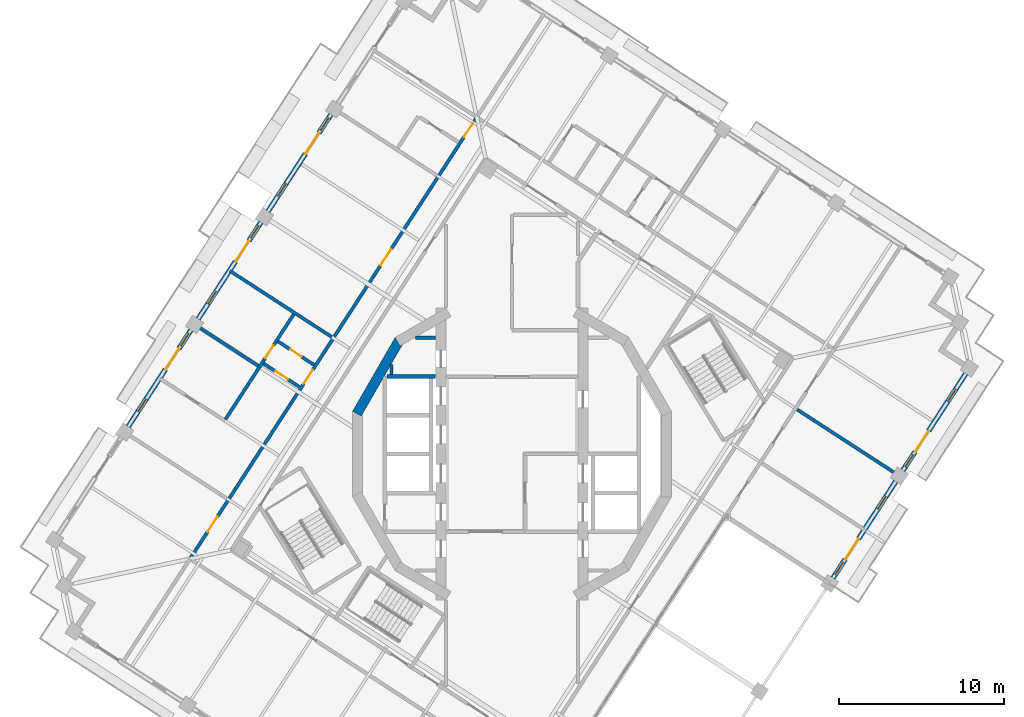
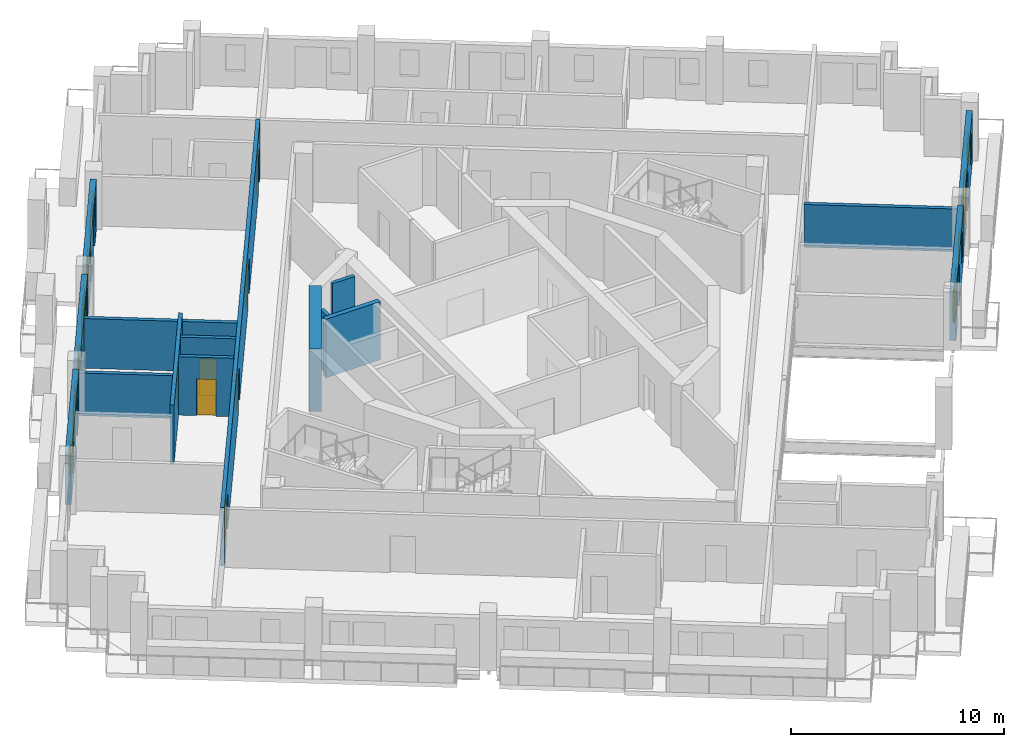
# One storey, part 8 of 17: 16 walls, 12 doors, 10 windows, 22 openings.
"""IFC4 building model written with IfcOpenShell, lengths in metres."""

from ifc_helpers import new_model, si_unit, direction, frame, frame_2d, origin, place, context, subcontext, project, spatial, rectangle, extrude, material, layer, layer_set, type_object, element, fill, save


model = new_model("IFC4")

# Units and contexts
model_context = context("Model", 3, precision=1e-05, world=origin(), true_north=direction((0.0, 1.0)))
body_context = subcontext(model_context, "Body", "Model", "MODEL_VIEW")
ifc_project = project(units=[si_unit("LENGTHUNIT", "METRE"), si_unit("AREAUNIT", "SQUARE_METRE"), si_unit("VOLUMEUNIT", "CUBIC_METRE"), si_unit("PLANEANGLEUNIT", "RADIAN"), si_unit("MASSUNIT", "GRAM", prefix="KILO")], contexts=[model_context])

# Site, building, storey
site_placement = place(None, origin())
site = spatial("IfcSite", under=ifc_project, at=site_placement, CompositionType="ELEMENT")
building_placement = place(site_placement, origin())
building = spatial("IfcBuilding", under=site, at=building_placement, Name="Cantera Rosa Tower", CompositionType="ELEMENT")
storey_placement = place(building_placement, frame((0.0, 0.0, 254.10009765625)))
storey = spatial("IfcBuildingStorey", under=building, at=storey_placement, Name="L56", CompositionType="ELEMENT", Elevation=254.10009765625)

# Wall, openings, doors
ifc_material_1 = material(Name="Gypsum board partition")
ifc_layer_1 = layer(ifc_material_1, 0.199951171875)
ifc_layer_set_1 = layer_set([ifc_layer_1], Name="CORRIDOR WALL 200 H3350")
wall_type_1 = type_object("IfcWallType", Name="CORRIDOR WALL 200 H3350", PredefinedType="PARTITIONING", material=ifc_layer_set_1)
wall_1_placement = place(storey_placement, frame((-2.1318359375, 20.402587890625, 0.0), z_axis=(0.0, 0.0, 1.0), x_axis=(-0.544643219415, -0.838667850549, 0.0)))
wall_1 = element("IfcWall", 1, at=wall_1_placement, inside=storey, type_object=wall_type_1, Name="CORRIDOR WALL L56-046", PredefinedType="PARTITIONING", context=body_context, shape_type="SweptSolid", body=[
    extrude(rectangle(XDim=31.880126953125, YDim=0.199951171875, at=frame_2d((15.93994140625, 0.0))), origin(), (0.0, 0.0, 1.0), 3.349853515625),
])
opening_1_placement = place(wall_1_placement, frame((9.514892578125, 0.0, 0.0)))
opening_1 = element("IfcOpeningElement", 2, at=opening_1_placement, cuts=wall_1, Name="Opening L56-027", PredefinedType="OPENING", context=body_context, shape_type="SweptSolid", body=[
    extrude(rectangle(XDim=1.199951171875, YDim=2.10009765625, at=frame_2d((0.60009765625, 1.050048828125))), frame((0.0, 0.10986328125, 0.0), z_axis=(0.0, -1.0, 0.0), x_axis=(1.0, 0.0, 0.0)), (0.0, 0.0, 1.0), 0.219970703125),
])
opening_2_placement = place(wall_1_placement, frame((18.25, 0.0, 0.0)))
opening_2 = element("IfcOpeningElement", 3, at=opening_2_placement, cuts=wall_1, Name="Opening L56-028", PredefinedType="OPENING", context=body_context, shape_type="SweptSolid", body=[
    extrude(rectangle(XDim=1.0, YDim=2.10009765625, at=frame_2d((0.5, 1.050048828125))), frame((0.0, 0.10986328125, 0.0), z_axis=(0.0, -1.0, 0.0), x_axis=(1.0, 0.0, 0.0)), (0.0, 0.0, 1.0), 0.219970703125),
])
opening_3_placement = place(wall_1_placement, frame((0.43994140625, 0.0, 0.0)))
opening_3 = element("IfcOpeningElement", 4, at=opening_3_placement, cuts=wall_1, Name="Opening L56-033", PredefinedType="OPENING", context=body_context, shape_type="SweptSolid", body=[
    extrude(rectangle(XDim=1.0, YDim=2.10009765625, at=frame_2d((0.5, 1.050048828125))), frame((0.0, 0.10986328125, 0.0), z_axis=(0.0, -1.0, 0.0), x_axis=(1.0, 0.0, 0.0)), (0.0, 0.0, 1.0), 0.219970703125),
])
opening_4_placement = place(wall_1_placement, frame((28.85009765625, 0.0, 0.0)))
opening_4 = element("IfcOpeningElement", 5, at=opening_4_placement, cuts=wall_1, Name="Opening L56-036", PredefinedType="OPENING", context=body_context, shape_type="SweptSolid", body=[
    extrude(rectangle(XDim=1.10009765625, YDim=2.10009765625, at=frame_2d((0.550048828125, 1.050048828125))), frame((0.0, 0.10986328125, 0.0), z_axis=(0.0, -1.0, 0.0), x_axis=(1.0, 0.0, 0.0)), (0.0, 0.0, 1.0), 0.219970703125),
])
ifc_material_2 = material(Name="Timber door leaf", Category="wood")
door_type_1 = type_object("IfcDoorType", Name="ENTRANCE DOOR 1000x2100", OperationType="NOTDEFINED", PredefinedType="DOOR", material=ifc_material_2)
door_1_placement = place(opening_2_placement, origin())
door_1 = element("IfcDoor", 6, at=door_1_placement, inside=storey, type_object=door_type_1, Name="DOOR L56-028", OperationType="NOTDEFINED", OverallHeight=2.10009765625, OverallWidth=1.0, PredefinedType="DOOR", context=body_context, shape_type="SweptSolid", body=[
    extrude(rectangle(XDim=1.0, YDim=2.10009765625, at=frame_2d((0.5, 1.050048828125))), frame((0.0, 0.02490234375, 0.0), z_axis=(0.0, -1.0, 0.0), x_axis=(1.0, 0.0, 0.0)), (0.0, 0.0, 1.0), 0.050048828125),
])
fill(opening_2, door_1)
door_2_placement = place(opening_3_placement, origin())
door_2 = element("IfcDoor", 7, at=door_2_placement, inside=storey, type_object=door_type_1, Name="DOOR L56-033", OperationType="NOTDEFINED", OverallHeight=2.10009765625, OverallWidth=1.0, PredefinedType="DOOR", context=body_context, shape_type="SweptSolid", body=[
    extrude(rectangle(XDim=1.0, YDim=2.10009765625, at=frame_2d((0.5, 1.050048828125))), frame((0.0, 0.02490234375, 0.0), z_axis=(0.0, -1.0, 0.0), x_axis=(1.0, 0.0, 0.0)), (0.0, 0.0, 1.0), 0.050048828125),
])
fill(opening_3, door_2)
ifc_material_3 = material(Name="Timber door leaf", Category="wood")
door_type_2 = type_object("IfcDoorType", Name="ROOM DOOR 1100x2100", OperationType="NOTDEFINED", PredefinedType="DOOR", material=ifc_material_3)
door_3_placement = place(opening_4_placement, origin())
door_3 = element("IfcDoor", 8, at=door_3_placement, inside=storey, type_object=door_type_2, Name="DOOR L56-036", OperationType="NOTDEFINED", OverallHeight=2.10009765625, OverallWidth=1.10009765625, PredefinedType="DOOR", context=body_context, shape_type="SweptSolid", body=[
    extrude(rectangle(XDim=1.10009765625, YDim=2.10009765625, at=frame_2d((0.550048828125, 1.050048828125))), frame((0.0, 0.02490234375, 0.0), z_axis=(0.0, -1.0, 0.0), x_axis=(1.0, 0.0, 0.0)), (0.0, 0.0, 1.0), 0.050048828125),
])
fill(opening_4, door_3)
ifc_material_4 = material(Name="Timber door leaf", Category="wood")
door_type_3 = type_object("IfcDoorType", Name="ROOM DOOR 1200x2100", OperationType="NOTDEFINED", PredefinedType="DOOR", material=ifc_material_4)
door_4_placement = place(opening_1_placement, origin())
door_4 = element("IfcDoor", 9, at=door_4_placement, inside=storey, type_object=door_type_3, Name="DOOR L56-027", OperationType="NOTDEFINED", OverallHeight=2.10009765625, OverallWidth=1.199951171875, PredefinedType="DOOR", context=body_context, shape_type="SweptSolid", body=[
    extrude(rectangle(XDim=1.199951171875, YDim=2.10009765625, at=frame_2d((0.60009765625, 1.050048828125))), frame((0.0, 0.02490234375, 0.0), z_axis=(0.0, -1.0, 0.0), x_axis=(1.0, 0.0, 0.0)), (0.0, 0.0, 1.0), 0.050048828125),
])
fill(opening_1, door_4)

# Wall, openings, windows, door
ifc_material_5 = material(Name="Hollow clay masonry with cantera stone cladding", Category="masonry")
ifc_layer_2 = layer(ifc_material_5, 0.300048828125)
ifc_layer_set_2 = layer_set([ifc_layer_2], Name="EW-LOGGIA 300 H2890")
wall_type_2 = type_object("IfcWallType", Name="EW-LOGGIA 300 H2890", PredefinedType="SOLIDWALL", material=ifc_layer_set_2)
wall_2_placement = place(storey_placement, frame((-10.970703125, 20.5625, 0.0), z_axis=(0.0, 0.0, 1.0), x_axis=(-0.544651451949, -0.838662504164, 0.0)))
wall_2 = element("IfcWall", 10, at=wall_2_placement, inside=storey, type_object=wall_type_2, Name="EN-L56-W08", PredefinedType="SOLIDWALL", context=body_context, shape_type="SweptSolid", body=[
    extrude(rectangle(XDim=6.980224609375, YDim=0.300048828125, at=frame_2d((3.490234375, 0.0))), origin(), (0.0, 0.0, 1.0), 2.889892578125),
])
opening_5_placement = place(wall_2_placement, frame((0.2451171875, 0.0, 0.89990234375)))
opening_5 = element("IfcOpeningElement", 11, at=opening_5_placement, cuts=wall_2, Name="Opening L56-W16", PredefinedType="OPENING", context=body_context, shape_type="SweptSolid", body=[
    extrude(rectangle(XDim=0.89990234375, YDim=1.5, at=frame_2d((0.449951171875, 0.75))), frame((0.0, 0.159912109375, 0.0), z_axis=(0.0, -1.0, 0.0), x_axis=(1.0, 0.0, 0.0)), (0.0, 0.0, 1.0), 0.320068359375),
])
opening_6_placement = place(wall_2_placement, frame((1.344970703125, 0.0, 0.0)))
opening_6 = element("IfcOpeningElement", 12, at=opening_6_placement, cuts=wall_2, Name="Opening L56-TD17", PredefinedType="OPENING", context=body_context, shape_type="SweptSolid", body=[
    extrude(rectangle(XDim=1.5, YDim=2.39990234375, at=frame_2d((0.75, 1.199951171875))), frame((0.0, 0.159912109375, 0.0), z_axis=(0.0, -1.0, 0.0), x_axis=(1.0, 0.0, 0.0)), (0.0, 0.0, 1.0), 0.320068359375),
])
opening_7_placement = place(wall_2_placement, frame((4.985107421875, 0.0, 0.89990234375)))
opening_7 = element("IfcOpeningElement", 13, at=opening_7_placement, cuts=wall_2, Name="Opening L56-W18", PredefinedType="OPENING", context=body_context, shape_type="SweptSolid", body=[
    extrude(rectangle(XDim=0.89990234375, YDim=1.5, at=frame_2d((0.449951171875, 0.75))), frame((0.0, 0.159912109375, 0.0), z_axis=(0.0, -1.0, 0.0), x_axis=(1.0, 0.0, 0.0)), (0.0, 0.0, 1.0), 0.320068359375),
])
ifc_material_6 = material(Name="Aluminium frame with clear glass", Category="aluminium")
window_type = type_object("IfcWindowType", Name="Residential window 900x1500", PartitioningType="SINGLE_PANEL", PredefinedType="WINDOW", material=ifc_material_6)
window_1_placement = place(opening_5_placement, origin())
window_1 = element("IfcWindow", 14, at=window_1_placement, inside=storey, type_object=window_type, Name="WINDOW L56-W16", OverallHeight=1.5, OverallWidth=0.89990234375, PartitioningType="SINGLE_PANEL", PredefinedType="WINDOW", context=body_context, shape_type="SweptSolid", body=[
    extrude(rectangle(XDim=0.89990234375, YDim=1.5, at=frame_2d((0.449951171875, 0.75))), frame((0.0, 0.030029296875, 0.0), z_axis=(0.0, -1.0, 0.0), x_axis=(1.0, 0.0, 0.0)), (0.0, 0.0, 1.0), 0.06005859375),
])
fill(opening_5, window_1)
window_2_placement = place(opening_7_placement, origin())
window_2 = element("IfcWindow", 15, at=window_2_placement, inside=storey, type_object=window_type, Name="WINDOW L56-W18", OverallHeight=1.5, OverallWidth=0.89990234375, PartitioningType="SINGLE_PANEL", PredefinedType="WINDOW", context=body_context, shape_type="SweptSolid", body=[
    extrude(rectangle(XDim=0.89990234375, YDim=1.5, at=frame_2d((0.449951171875, 0.75))), frame((0.0, 0.030029296875, 0.0), z_axis=(0.0, -1.0, 0.0), x_axis=(1.0, 0.0, 0.0)), (0.0, 0.0, 1.0), 0.06005859375),
])
fill(opening_7, window_2)
ifc_material_7 = material(Name="Aluminium frame with clear glass", Category="aluminium")
door_type_4 = type_object("IfcDoorType", Name="TD-R 1500x2400", OperationType="NOTDEFINED", PredefinedType="DOOR", material=ifc_material_7)
door_5_placement = place(opening_6_placement, origin())
door_5 = element("IfcDoor", 16, at=door_5_placement, inside=storey, type_object=door_type_4, Name="LOGGIA DOOR L56-TD17", OperationType="SLIDING_TO_LEFT", OverallHeight=2.39990234375, OverallWidth=1.5, PredefinedType="DOOR", context=body_context, shape_type="SweptSolid", body=[
    extrude(rectangle(XDim=1.5, YDim=2.39990234375, at=frame_2d((0.75, 1.199951171875))), frame((0.0, 0.02490234375, 0.0), z_axis=(0.0, -1.0, 0.0), x_axis=(1.0, 0.0, 0.0)), (0.0, 0.0, 1.0), 0.050048828125),
])
fill(opening_6, door_5)

wall_3_placement = place(storey_placement, frame((-15.2080078125, 14.03759765625, 0.0), z_axis=(0.0, 0.0, 1.0), x_axis=(-0.544651451949, -0.838662504164, 0.0)))
wall_3 = element("IfcWall", 17, at=wall_3_placement, inside=storey, type_object=wall_type_2, Name="EN-L56-W09", PredefinedType="SOLIDWALL", context=body_context, shape_type="SweptSolid", body=[
    extrude(rectangle(XDim=6.980224609375, YDim=0.300048828125, at=frame_2d((3.490234375, 0.0))), origin(), (0.0, 0.0, 1.0), 2.889892578125),
])
opening_8_placement = place(wall_3_placement, frame((0.2451171875, 0.0, 0.89990234375)))
opening_8 = element("IfcOpeningElement", 18, at=opening_8_placement, cuts=wall_3, Name="Opening L56-W19", PredefinedType="OPENING", context=body_context, shape_type="SweptSolid", body=[
    extrude(rectangle(XDim=0.89990234375, YDim=1.5, at=frame_2d((0.449951171875, 0.75))), frame((0.0, 0.159912109375, 0.0), z_axis=(0.0, -1.0, 0.0), x_axis=(1.0, 0.0, 0.0)), (0.0, 0.0, 1.0), 0.320068359375),
])
opening_9_placement = place(wall_3_placement, frame((1.344970703125, 0.0, 0.0)))
opening_9 = element("IfcOpeningElement", 19, at=opening_9_placement, cuts=wall_3, Name="Opening L56-TD20", PredefinedType="OPENING", context=body_context, shape_type="SweptSolid", body=[
    extrude(rectangle(XDim=1.5, YDim=2.39990234375, at=frame_2d((0.75, 1.199951171875))), frame((0.0, 0.159912109375, 0.0), z_axis=(0.0, -1.0, 0.0), x_axis=(1.0, 0.0, 0.0)), (0.0, 0.0, 1.0), 0.320068359375),
])
opening_10_placement = place(wall_3_placement, frame((4.985107421875, 0.0, 0.89990234375)))
opening_10 = element("IfcOpeningElement", 20, at=opening_10_placement, cuts=wall_3, Name="Opening L56-W21", PredefinedType="OPENING", context=body_context, shape_type="SweptSolid", body=[
    extrude(rectangle(XDim=0.89990234375, YDim=1.5, at=frame_2d((0.449951171875, 0.75))), frame((0.0, 0.159912109375, 0.0), z_axis=(0.0, -1.0, 0.0), x_axis=(1.0, 0.0, 0.0)), (0.0, 0.0, 1.0), 0.320068359375),
])
window_3_placement = place(opening_8_placement, origin())
window_3 = element("IfcWindow", 21, at=window_3_placement, inside=storey, type_object=window_type, Name="WINDOW L56-W19", OverallHeight=1.5, OverallWidth=0.89990234375, PartitioningType="SINGLE_PANEL", PredefinedType="WINDOW", context=body_context, shape_type="SweptSolid", body=[
    extrude(rectangle(XDim=0.89990234375, YDim=1.5, at=frame_2d((0.449951171875, 0.75))), frame((0.0, 0.030029296875, 0.0), z_axis=(0.0, -1.0, 0.0), x_axis=(1.0, 0.0, 0.0)), (0.0, 0.0, 1.0), 0.06005859375),
])
fill(opening_8, window_3)
window_4_placement = place(opening_10_placement, origin())
window_4 = element("IfcWindow", 22, at=window_4_placement, inside=storey, type_object=window_type, Name="WINDOW L56-W21", OverallHeight=1.5, OverallWidth=0.89990234375, PartitioningType="SINGLE_PANEL", PredefinedType="WINDOW", context=body_context, shape_type="SweptSolid", body=[
    extrude(rectangle(XDim=0.89990234375, YDim=1.5, at=frame_2d((0.449951171875, 0.75))), frame((0.0, 0.030029296875, 0.0), z_axis=(0.0, -1.0, 0.0), x_axis=(1.0, 0.0, 0.0)), (0.0, 0.0, 1.0), 0.06005859375),
])
fill(opening_10, window_4)
door_6_placement = place(opening_9_placement, origin())
door_6 = element("IfcDoor", 23, at=door_6_placement, inside=storey, type_object=door_type_4, Name="LOGGIA DOOR L56-TD20", OperationType="SLIDING_TO_LEFT", OverallHeight=2.39990234375, OverallWidth=1.5, PredefinedType="DOOR", context=body_context, shape_type="SweptSolid", body=[
    extrude(rectangle(XDim=1.5, YDim=2.39990234375, at=frame_2d((0.75, 1.199951171875))), frame((0.0, 0.02490234375, 0.0), z_axis=(0.0, -1.0, 0.0), x_axis=(1.0, 0.0, 0.0)), (0.0, 0.0, 1.0), 0.050048828125),
])
fill(opening_9, door_6)

wall_4_placement = place(storey_placement, frame((-19.4453125, 7.5126953125, 0.0), z_axis=(0.0, 0.0, 1.0), x_axis=(-0.544667428764, -0.838652128146, 0.0)))
wall_4 = element("IfcWall", 24, at=wall_4_placement, inside=storey, type_object=wall_type_2, Name="EN-L56-W10", PredefinedType="SOLIDWALL", context=body_context, shape_type="SweptSolid", body=[
    extrude(rectangle(XDim=6.97998046875, YDim=0.300048828125, at=frame_2d((3.489990234375, 0.0))), origin(), (0.0, 0.0, 1.0), 2.889892578125),
])
opening_11_placement = place(wall_4_placement, frame((0.2451171875, 0.0, 0.89990234375)))
opening_11 = element("IfcOpeningElement", 25, at=opening_11_placement, cuts=wall_4, Name="Opening L56-W22", PredefinedType="OPENING", context=body_context, shape_type="SweptSolid", body=[
    extrude(rectangle(XDim=0.89990234375, YDim=1.5, at=frame_2d((0.449951171875, 0.75))), frame((0.0, 0.159912109375, 0.0), z_axis=(0.0, -1.0, 0.0), x_axis=(1.0, 0.0, 0.0)), (0.0, 0.0, 1.0), 0.320068359375),
])
opening_12_placement = place(wall_4_placement, frame((1.344970703125, 0.0, 0.0)))
opening_12 = element("IfcOpeningElement", 26, at=opening_12_placement, cuts=wall_4, Name="Opening L56-TD23", PredefinedType="OPENING", context=body_context, shape_type="SweptSolid", body=[
    extrude(rectangle(XDim=1.5, YDim=2.39990234375, at=frame_2d((0.75, 1.199951171875))), frame((0.0, 0.159912109375, 0.0), z_axis=(0.0, -1.0, 0.0), x_axis=(1.0, 0.0, 0.0)), (0.0, 0.0, 1.0), 0.320068359375),
])
opening_13_placement = place(wall_4_placement, frame((4.985107421875, 0.0, 0.89990234375)))
opening_13 = element("IfcOpeningElement", 27, at=opening_13_placement, cuts=wall_4, Name="Opening L56-W24", PredefinedType="OPENING", context=body_context, shape_type="SweptSolid", body=[
    extrude(rectangle(XDim=0.89990234375, YDim=1.5, at=frame_2d((0.449951171875, 0.75))), frame((0.0, 0.159912109375, 0.0), z_axis=(0.0, -1.0, 0.0), x_axis=(1.0, 0.0, 0.0)), (0.0, 0.0, 1.0), 0.320068359375),
])
window_5_placement = place(opening_11_placement, origin())
window_5 = element("IfcWindow", 28, at=window_5_placement, inside=storey, type_object=window_type, Name="WINDOW L56-W22", OverallHeight=1.5, OverallWidth=0.89990234375, PartitioningType="SINGLE_PANEL", PredefinedType="WINDOW", context=body_context, shape_type="SweptSolid", body=[
    extrude(rectangle(XDim=0.89990234375, YDim=1.5, at=frame_2d((0.449951171875, 0.75))), frame((0.0, 0.030029296875, 0.0), z_axis=(0.0, -1.0, 0.0), x_axis=(1.0, 0.0, 0.0)), (0.0, 0.0, 1.0), 0.06005859375),
])
fill(opening_11, window_5)
window_6_placement = place(opening_13_placement, origin())
window_6 = element("IfcWindow", 29, at=window_6_placement, inside=storey, type_object=window_type, Name="WINDOW L56-W24", OverallHeight=1.5, OverallWidth=0.89990234375, PartitioningType="SINGLE_PANEL", PredefinedType="WINDOW", context=body_context, shape_type="SweptSolid", body=[
    extrude(rectangle(XDim=0.89990234375, YDim=1.5, at=frame_2d((0.449951171875, 0.75))), frame((0.0, 0.030029296875, 0.0), z_axis=(0.0, -1.0, 0.0), x_axis=(1.0, 0.0, 0.0)), (0.0, 0.0, 1.0), 0.06005859375),
])
fill(opening_13, window_6)
door_7_placement = place(opening_12_placement, origin())
door_7 = element("IfcDoor", 30, at=door_7_placement, inside=storey, type_object=door_type_4, Name="LOGGIA DOOR L56-TD23", OperationType="SLIDING_TO_LEFT", OverallHeight=2.39990234375, OverallWidth=1.5, PredefinedType="DOOR", context=body_context, shape_type="SweptSolid", body=[
    extrude(rectangle(XDim=1.5, YDim=2.39990234375, at=frame_2d((0.75, 1.199951171875))), frame((0.0, 0.02490234375, 0.0), z_axis=(0.0, -1.0, 0.0), x_axis=(1.0, 0.0, 0.0)), (0.0, 0.0, 1.0), 0.050048828125),
])
fill(opening_12, door_7)

wall_5_placement = place(storey_placement, frame((19.4453125, -7.5126953125, 0.0), z_axis=(0.0, 0.0, 1.0), x_axis=(0.544667428764, 0.838652128146, 0.0)))
wall_5 = element("IfcWall", 31, at=wall_5_placement, inside=storey, type_object=wall_type_2, Name="EN-L56-W23", PredefinedType="SOLIDWALL", context=body_context, shape_type="SweptSolid", body=[
    extrude(rectangle(XDim=6.97998046875, YDim=0.300048828125, at=frame_2d((3.489990234375, 0.0))), origin(), (0.0, 0.0, 1.0), 2.889892578125),
])
opening_14_placement = place(wall_5_placement, frame((0.2451171875, 0.0, 0.89990234375)))
opening_14 = element("IfcOpeningElement", 32, at=opening_14_placement, cuts=wall_5, Name="Opening L56-W43", PredefinedType="OPENING", context=body_context, shape_type="SweptSolid", body=[
    extrude(rectangle(XDim=0.89990234375, YDim=1.5, at=frame_2d((0.449951171875, 0.75))), frame((0.0, 0.159912109375, 0.0), z_axis=(0.0, -1.0, 0.0), x_axis=(1.0, 0.0, 0.0)), (0.0, 0.0, 1.0), 0.320068359375),
])
opening_15_placement = place(wall_5_placement, frame((1.344970703125, 0.0, 0.0)))
opening_15 = element("IfcOpeningElement", 33, at=opening_15_placement, cuts=wall_5, Name="Opening L56-TD44", PredefinedType="OPENING", context=body_context, shape_type="SweptSolid", body=[
    extrude(rectangle(XDim=1.5, YDim=2.39990234375, at=frame_2d((0.75, 1.199951171875))), frame((0.0, 0.159912109375, 0.0), z_axis=(0.0, -1.0, 0.0), x_axis=(1.0, 0.0, 0.0)), (0.0, 0.0, 1.0), 0.320068359375),
])
opening_16_placement = place(wall_5_placement, frame((4.985107421875, 0.0, 0.89990234375)))
opening_16 = element("IfcOpeningElement", 34, at=opening_16_placement, cuts=wall_5, Name="Opening L56-W45", PredefinedType="OPENING", context=body_context, shape_type="SweptSolid", body=[
    extrude(rectangle(XDim=0.89990234375, YDim=1.5, at=frame_2d((0.449951171875, 0.75))), frame((0.0, 0.159912109375, 0.0), z_axis=(0.0, -1.0, 0.0), x_axis=(1.0, 0.0, 0.0)), (0.0, 0.0, 1.0), 0.320068359375),
])
window_7_placement = place(opening_14_placement, origin())
window_7 = element("IfcWindow", 35, at=window_7_placement, inside=storey, type_object=window_type, Name="WINDOW L56-W43", OverallHeight=1.5, OverallWidth=0.89990234375, PartitioningType="SINGLE_PANEL", PredefinedType="WINDOW", context=body_context, shape_type="SweptSolid", body=[
    extrude(rectangle(XDim=0.89990234375, YDim=1.5, at=frame_2d((0.449951171875, 0.75))), frame((0.0, 0.030029296875, 0.0), z_axis=(0.0, -1.0, 0.0), x_axis=(1.0, 0.0, 0.0)), (0.0, 0.0, 1.0), 0.06005859375),
])
fill(opening_14, window_7)
window_8_placement = place(opening_16_placement, origin())
window_8 = element("IfcWindow", 36, at=window_8_placement, inside=storey, type_object=window_type, Name="WINDOW L56-W45", OverallHeight=1.5, OverallWidth=0.89990234375, PartitioningType="SINGLE_PANEL", PredefinedType="WINDOW", context=body_context, shape_type="SweptSolid", body=[
    extrude(rectangle(XDim=0.89990234375, YDim=1.5, at=frame_2d((0.449951171875, 0.75))), frame((0.0, 0.030029296875, 0.0), z_axis=(0.0, -1.0, 0.0), x_axis=(1.0, 0.0, 0.0)), (0.0, 0.0, 1.0), 0.06005859375),
])
fill(opening_16, window_8)
door_8_placement = place(opening_15_placement, origin())
door_8 = element("IfcDoor", 37, at=door_8_placement, inside=storey, type_object=door_type_4, Name="LOGGIA DOOR L56-TD44", OperationType="SLIDING_TO_LEFT", OverallHeight=2.39990234375, OverallWidth=1.5, PredefinedType="DOOR", context=body_context, shape_type="SweptSolid", body=[
    extrude(rectangle(XDim=1.5, YDim=2.39990234375, at=frame_2d((0.75, 1.199951171875))), frame((0.0, 0.02490234375, 0.0), z_axis=(0.0, -1.0, 0.0), x_axis=(1.0, 0.0, 0.0)), (0.0, 0.0, 1.0), 0.050048828125),
])
fill(opening_15, door_8)

wall_6_placement = place(storey_placement, frame((23.6826171875, -0.98779296875, 0.0), z_axis=(0.0, 0.0, 1.0), x_axis=(0.544667428764, 0.838652128146, 0.0)))
wall_6 = element("IfcWall", 38, at=wall_6_placement, inside=storey, type_object=wall_type_2, Name="EN-L56-W24", PredefinedType="SOLIDWALL", context=body_context, shape_type="SweptSolid", body=[
    extrude(rectangle(XDim=6.97998046875, YDim=0.300048828125, at=frame_2d((3.489990234375, 0.0))), origin(), (0.0, 0.0, 1.0), 2.889892578125),
])
opening_17_placement = place(wall_6_placement, frame((0.2451171875, 0.0, 0.89990234375)))
opening_17 = element("IfcOpeningElement", 39, at=opening_17_placement, cuts=wall_6, Name="Opening L56-W46", PredefinedType="OPENING", context=body_context, shape_type="SweptSolid", body=[
    extrude(rectangle(XDim=0.89990234375, YDim=1.5, at=frame_2d((0.449951171875, 0.75))), frame((0.0, 0.159912109375, 0.0), z_axis=(0.0, -1.0, 0.0), x_axis=(1.0, 0.0, 0.0)), (0.0, 0.0, 1.0), 0.320068359375),
])
opening_18_placement = place(wall_6_placement, frame((1.344970703125, 0.0, 0.0)))
opening_18 = element("IfcOpeningElement", 40, at=opening_18_placement, cuts=wall_6, Name="Opening L56-TD47", PredefinedType="OPENING", context=body_context, shape_type="SweptSolid", body=[
    extrude(rectangle(XDim=1.5, YDim=2.39990234375, at=frame_2d((0.75, 1.199951171875))), frame((0.0, 0.159912109375, 0.0), z_axis=(0.0, -1.0, 0.0), x_axis=(1.0, 0.0, 0.0)), (0.0, 0.0, 1.0), 0.320068359375),
])
opening_19_placement = place(wall_6_placement, frame((4.985107421875, 0.0, 0.89990234375)))
opening_19 = element("IfcOpeningElement", 41, at=opening_19_placement, cuts=wall_6, Name="Opening L56-W48", PredefinedType="OPENING", context=body_context, shape_type="SweptSolid", body=[
    extrude(rectangle(XDim=0.89990234375, YDim=1.5, at=frame_2d((0.449951171875, 0.75))), frame((0.0, 0.159912109375, 0.0), z_axis=(0.0, -1.0, 0.0), x_axis=(1.0, 0.0, 0.0)), (0.0, 0.0, 1.0), 0.320068359375),
])
window_9_placement = place(opening_17_placement, origin())
window_9 = element("IfcWindow", 42, at=window_9_placement, inside=storey, type_object=window_type, Name="WINDOW L56-W46", OverallHeight=1.5, OverallWidth=0.89990234375, PartitioningType="SINGLE_PANEL", PredefinedType="WINDOW", context=body_context, shape_type="SweptSolid", body=[
    extrude(rectangle(XDim=0.89990234375, YDim=1.5, at=frame_2d((0.449951171875, 0.75))), frame((0.0, 0.030029296875, 0.0), z_axis=(0.0, -1.0, 0.0), x_axis=(1.0, 0.0, 0.0)), (0.0, 0.0, 1.0), 0.06005859375),
])
fill(opening_17, window_9)
window_10_placement = place(opening_19_placement, origin())
window_10 = element("IfcWindow", 43, at=window_10_placement, inside=storey, type_object=window_type, Name="WINDOW L56-W48", OverallHeight=1.5, OverallWidth=0.89990234375, PartitioningType="SINGLE_PANEL", PredefinedType="WINDOW", context=body_context, shape_type="SweptSolid", body=[
    extrude(rectangle(XDim=0.89990234375, YDim=1.5, at=frame_2d((0.449951171875, 0.75))), frame((0.0, 0.030029296875, 0.0), z_axis=(0.0, -1.0, 0.0), x_axis=(1.0, 0.0, 0.0)), (0.0, 0.0, 1.0), 0.06005859375),
])
fill(opening_19, window_10)
door_9_placement = place(opening_18_placement, origin())
door_9 = element("IfcDoor", 44, at=door_9_placement, inside=storey, type_object=door_type_4, Name="LOGGIA DOOR L56-TD47", OperationType="SLIDING_TO_LEFT", OverallHeight=2.39990234375, OverallWidth=1.5, PredefinedType="DOOR", context=body_context, shape_type="SweptSolid", body=[
    extrude(rectangle(XDim=1.5, YDim=2.39990234375, at=frame_2d((0.75, 1.199951171875))), frame((0.0, 0.02490234375, 0.0), z_axis=(0.0, -1.0, 0.0), x_axis=(1.0, 0.0, 0.0)), (0.0, 0.0, 1.0), 0.050048828125),
])
fill(opening_18, door_9)

# Walls
ifc_material_8 = material(Name="Gypsum board partition")
ifc_layer_3 = layer(ifc_material_8, 0.199951171875)
ifc_layer_set_3 = layer_set([ifc_layer_3], Name="PARTITION 200 H2450")
wall_type_3 = type_object("IfcWallType", Name="PARTITION 200 H2450", PredefinedType="PARTITIONING", material=ifc_layer_set_3)
wall_7_placement = place(storey_placement, frame((-15.36962890625, 5.343017578125, 0.0), z_axis=(0.0, 0.0, 1.0), x_axis=(-0.838696184812, 0.544599586469, 0.0)))
element("IfcWall", 45, at=wall_7_placement, inside=storey, type_object=wall_type_3, Name="PARTITION L56-010", PredefinedType="PARTITIONING", context=body_context, shape_type="SweptSolid", body=[
    extrude(rectangle(XDim=4.56982421875, YDim=0.199951171875, at=frame_2d((2.284912109375, 0.0))), origin(), (0.0, 0.0, 1.0), 2.449951171875),
])
wall_8_placement = place(storey_placement, frame((17.275390625, 2.696044921875, 0.0), z_axis=(0.0, 0.0, 1.0), x_axis=(0.838684106336, -0.544618187155, 0.0)))
element("IfcWall", 46, at=wall_8_placement, inside=storey, type_object=wall_type_3, Name="PARTITION L56-097", PredefinedType="PARTITIONING", context=body_context, shape_type="SweptSolid", body=[
    extrude(rectangle(XDim=7.349853515625, YDim=0.199951171875, at=frame_2d((3.6748046875, 0.0))), origin(), (0.0, 0.0, 1.0), 2.449951171875),
])

# Wall, opening, door
ifc_material_9 = material(Name="Gypsum board partition")
ifc_layer_4 = layer(ifc_material_9, 0.199951171875)
ifc_layer_set_4 = layer_set([ifc_layer_4], Name="PARTITION 200 H3350")
wall_type_4 = type_object("IfcWallType", Name="PARTITION 200 H3350", PredefinedType="PARTITIONING", material=ifc_layer_set_4)
wall_9_placement = place(storey_placement, frame((-13.2216796875, 8.467041015625, 0.0), z_axis=(0.0, 0.0, 1.0), x_axis=(-0.544640749503, -0.838669454542, 0.0)))
wall_9 = element("IfcWall", 47, at=wall_9_placement, inside=storey, type_object=wall_type_4, Name="PARTITION L56-012", PredefinedType="PARTITIONING", context=body_context, shape_type="SweptSolid", body=[
    extrude(rectangle(XDim=7.580078125, YDim=0.199951171875, at=frame_2d((3.7900390625, 0.0))), origin(), (0.0, 0.0, 1.0), 3.349853515625),
])
opening_20_placement = place(wall_9_placement, frame((2.25, 0.0, 0.0)))
opening_20 = element("IfcOpeningElement", 48, at=opening_20_placement, cuts=wall_9, Name="Opening L56-031", PredefinedType="OPENING", context=body_context, shape_type="SweptSolid", body=[
    extrude(rectangle(XDim=0.89990234375, YDim=2.10009765625, at=frame_2d((0.449951171875, 1.050048828125))), frame((0.0, 0.10986328125, 0.0), z_axis=(0.0, -1.0, 0.0), x_axis=(1.0, 0.0, 0.0)), (0.0, 0.0, 1.0), 0.219970703125),
])
ifc_material_10 = material(Name="Timber door leaf", Category="wood")
door_type_5 = type_object("IfcDoorType", Name="ROOM DOOR 900x2100", OperationType="NOTDEFINED", PredefinedType="DOOR", material=ifc_material_10)
door_10_placement = place(opening_20_placement, origin())
door_10 = element("IfcDoor", 49, at=door_10_placement, inside=storey, type_object=door_type_5, Name="DOOR L56-031", OperationType="NOTDEFINED", OverallHeight=2.10009765625, OverallWidth=0.89990234375, PredefinedType="DOOR", context=body_context, shape_type="SweptSolid", body=[
    extrude(rectangle(XDim=0.89990234375, YDim=2.10009765625, at=frame_2d((0.449951171875, 1.050048828125))), frame((0.0, 0.02490234375, 0.0), z_axis=(0.0, -1.0, 0.0), x_axis=(1.0, 0.0, 0.0)), (0.0, 0.0, 1.0), 0.050048828125),
])
fill(opening_20, door_10)

wall_10_placement = place(storey_placement, frame((-12.880126953125, 4.072021484375, 0.0), z_axis=(0.0, 0.0, 1.0), x_axis=(-0.838657579454, 0.544659035015, 0.0)))
wall_10 = element("IfcWall", 50, at=wall_10_placement, inside=storey, type_object=wall_type_4, Name="PARTITION L56-014", PredefinedType="PARTITIONING", context=body_context, shape_type="SweptSolid", body=[
    extrude(rectangle(XDim=2.580078125, YDim=0.199951171875, at=frame_2d((1.2900390625, 0.0))), origin(), (0.0, 0.0, 1.0), 3.349853515625),
])
opening_21_placement = place(wall_10_placement, frame((0.830078125, 0.0, 0.0)))
opening_21 = element("IfcOpeningElement", 51, at=opening_21_placement, cuts=wall_10, Name="Opening L56-030", PredefinedType="OPENING", context=body_context, shape_type="SweptSolid", body=[
    extrude(rectangle(XDim=0.89990234375, YDim=2.10009765625, at=frame_2d((0.449951171875, 1.050048828125))), frame((0.0, 0.10986328125, 0.0), z_axis=(0.0, -1.0, 0.0), x_axis=(1.0, 0.0, 0.0)), (0.0, 0.0, 1.0), 0.219970703125),
])
door_11_placement = place(opening_21_placement, origin())
door_11 = element("IfcDoor", 52, at=door_11_placement, inside=storey, type_object=door_type_5, Name="DOOR L56-030", OperationType="NOTDEFINED", OverallHeight=2.10009765625, OverallWidth=0.89990234375, PredefinedType="DOOR", context=body_context, shape_type="SweptSolid", body=[
    extrude(rectangle(XDim=0.89990234375, YDim=2.10009765625, at=frame_2d((0.449951171875, 1.050048828125))), frame((0.0, 0.02490234375, 0.0), z_axis=(0.0, -1.0, 0.0), x_axis=(1.0, 0.0, 0.0)), (0.0, 0.0, 1.0), 0.050048828125),
])
fill(opening_21, door_11)

wall_11_placement = place(storey_placement, frame((-11.991943359375, 5.403076171875, 0.0), z_axis=(0.0, 0.0, 1.0), x_axis=(-0.838692381994, 0.544605442853, 0.0)))
wall_11 = element("IfcWall", 53, at=wall_11_placement, inside=storey, type_object=wall_type_4, Name="PARTITION L56-016", PredefinedType="PARTITIONING", context=body_context, shape_type="SweptSolid", body=[
    extrude(rectangle(XDim=2.60009765625, YDim=0.199951171875, at=frame_2d((1.300048828125, 0.0))), origin(), (0.0, 0.0, 1.0), 3.349853515625),
])
opening_22_placement = place(wall_11_placement, frame((0.89990234375, 0.0, 0.0)))
opening_22 = element("IfcOpeningElement", 54, at=opening_22_placement, cuts=wall_11, Name="Opening L56-029", PredefinedType="OPENING", context=body_context, shape_type="SweptSolid", body=[
    extrude(rectangle(XDim=0.800048828125, YDim=2.10009765625, at=frame_2d((0.39990234375, 1.050048828125))), frame((0.0, 0.10986328125, 0.0), z_axis=(0.0, -1.0, 0.0), x_axis=(1.0, 0.0, 0.0)), (0.0, 0.0, 1.0), 0.219970703125),
])
ifc_material_11 = material(Name="Timber door leaf", Category="wood")
door_type_6 = type_object("IfcDoorType", Name="BATHROOM DOOR 800x2100", OperationType="NOTDEFINED", PredefinedType="DOOR", material=ifc_material_11)
door_12_placement = place(opening_22_placement, origin())
door_12 = element("IfcDoor", 55, at=door_12_placement, inside=storey, type_object=door_type_6, Name="DOOR L56-029", OperationType="NOTDEFINED", OverallHeight=2.10009765625, OverallWidth=0.800048828125, PredefinedType="DOOR", context=body_context, shape_type="SweptSolid", body=[
    extrude(rectangle(XDim=0.800048828125, YDim=2.10009765625, at=frame_2d((0.39990234375, 1.050048828125))), frame((0.0, 0.02490234375, 0.0), z_axis=(0.0, -1.0, 0.0), x_axis=(1.0, 0.0, 0.0)), (0.0, 0.0, 1.0), 0.050048828125),
])
fill(opening_22, door_12)

# Walls
wall_12_placement = place(storey_placement, frame((-7.300048828125, 4.824951171875, 0.0), z_axis=(0.0, 0.0, 1.0), x_axis=(0.0, 1.0, 0.0)))
element("IfcWall", 56, at=wall_12_placement, inside=storey, type_object=wall_type_4, Name="PARTITION L56-028", PredefinedType="PARTITIONING", context=body_context, shape_type="SweptSolid", body=[
    extrude(rectangle(XDim=0.589599609375, YDim=0.199951171875, at=frame_2d((0.294921875, 0.0))), origin(), (0.0, 0.0, 1.0), 3.349853515625),
])
wall_13_placement = place(storey_placement, frame((-5.84765625, 7.050048828125, 0.0), z_axis=(0.0, 0.0, 1.0), x_axis=(1.0, 0.0, 0.0)))
element("IfcWall", 57, at=wall_13_placement, inside=storey, type_object=wall_type_4, Name="PARTITION L56-032", PredefinedType="PARTITIONING", context=body_context, shape_type="SweptSolid", body=[
    extrude(rectangle(XDim=1.2177734375, YDim=0.199951171875, at=frame_2d((0.60888671875, 0.0))), origin(), (0.0, 0.0, 1.0), 3.349853515625),
])
ifc_material_12 = material(Name="Gypsum board partition")
ifc_layer_5 = layer(ifc_material_12, 0.199951171875)
ifc_layer_set_5 = layer_set([ifc_layer_5], Name="PARTY WALL 200 H2850")
wall_type_5 = type_object("IfcWallType", Name="PARTY WALL 200 H2850", PredefinedType="PARTITIONING", material=ifc_layer_set_5)
wall_14_placement = place(storey_placement, frame((-10.91943359375, 7.09130859375, 0.0), z_axis=(0.0, 0.0, 1.0), x_axis=(-0.838684106336, 0.544618187155, 0.0)))
element("IfcWall", 58, at=wall_14_placement, inside=storey, type_object=wall_type_5, Name="PARTY WALL L56-017", PredefinedType="PARTITIONING", context=body_context, shape_type="SweptSolid", body=[
    extrude(rectangle(XDim=7.349853515625, YDim=0.199951171875, at=frame_2d((3.6748046875, 0.0))), origin(), (0.0, 0.0, 1.0), 2.849853515625),
])
ifc_material_13 = material(Name="Concrete C50/60", Category="concrete")
ifc_layer_6 = layer(ifc_material_13, 0.60009765625)
ifc_layer_set_6 = layer_set([ifc_layer_6], Name="RC CORE WALL 600 C50/60")
wall_type_6 = type_object("IfcWallType", Name="RC CORE WALL 600 C50/60", PredefinedType="SHEAR", material=ifc_layer_set_6)
wall_15_placement = place(storey_placement, frame((-9.3994140625, 2.438232421875, 0.0), z_axis=(0.0, 0.0, 1.0), x_axis=(0.499989188378, 0.866031645787, 0.0)))
element("IfcWall", 59, at=wall_15_placement, inside=storey, type_object=wall_type_6, Name="CW-W4 L56", PredefinedType="SHEAR", context=body_context, shape_type="SweptSolid", body=[
    extrude(rectangle(XDim=5.17626953125, YDim=0.60009765625, at=frame_2d((2.588134765625, 0.0))), origin(), (0.0, 0.0, 1.0), 3.599853515625),
])
ifc_material_14 = material(Name="Masonry blockwork", Category="masonry")
ifc_layer_7 = layer(ifc_material_14, 0.25)
ifc_layer_set_7 = layer_set([ifc_layer_7], Name="SHAFT WALL 250 H3350")
wall_type_7 = type_object("IfcWallType", Name="SHAFT WALL 250 H3350", PredefinedType="SOLIDWALL", material=ifc_layer_set_7)
wall_16_placement = place(storey_placement, frame((-7.580078125, 4.699951171875, 0.0), z_axis=(0.0, 0.0, 1.0), x_axis=(1.0, 0.0, 0.0)))
element("IfcWall", 60, at=wall_16_placement, inside=storey, type_object=wall_type_7, Name="SHAFT WALL L56-026", PredefinedType="SOLIDWALL", context=body_context, shape_type="SweptSolid", body=[
    extrude(rectangle(XDim=2.9501953125, YDim=0.25, at=frame_2d((1.47509765625, 0.0))), origin(), (0.0, 0.0, 1.0), 3.349853515625),
])

save(model, "model.ifc")
